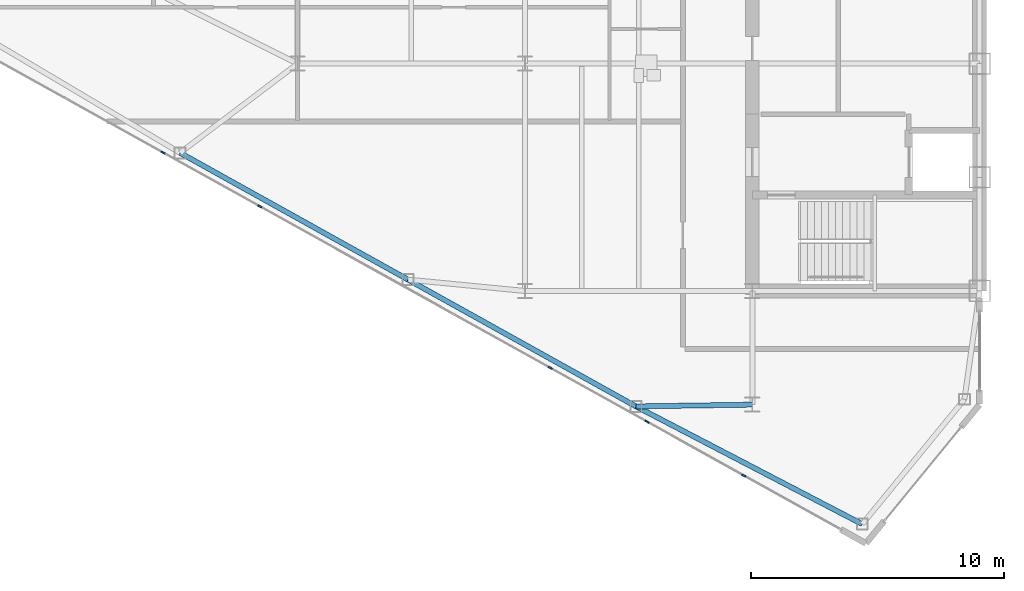
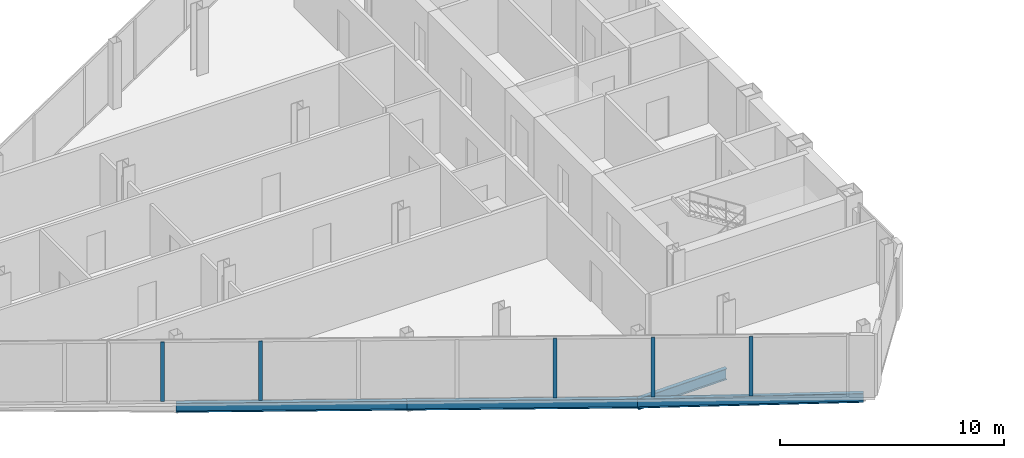
# One storey, part 3 of 25: 5 members, 4 beams, 1 element without a shape of its own.
"""IFC4 building model written with IfcOpenShell, lengths in metres."""

from ifc_helpers import new_model, si_unit, direction, frame, origin, origin_2d, place, context, subcontext, project, spatial, rectangle, i_section, extrude, source, transform, mapped, material, layer, layer_set, material_profile, profile_set, type_object, type_shapes, element, aggregate, save


model = new_model("IFC4")

# Units and contexts
model_context = context("Model", 3, precision=1e-05, world=origin(), true_north=direction((0.0, 1.0)))
body_context = subcontext(model_context, "Body", "Model", "MODEL_VIEW")
ifc_project = project(units=[si_unit("LENGTHUNIT", "METRE"), si_unit("AREAUNIT", "SQUARE_METRE"), si_unit("VOLUMEUNIT", "CUBIC_METRE"), si_unit("PLANEANGLEUNIT", "RADIAN"), si_unit("MASSUNIT", "GRAM", prefix="KILO")], contexts=[model_context])

# Site, building, storey
site_placement = place(None, origin())
site = spatial("IfcSite", under=ifc_project, at=site_placement, CompositionType="ELEMENT")
building_placement = place(site_placement, origin())
building = spatial("IfcBuilding", under=site, at=building_placement, Name="Seokmaru Belvedere", CompositionType="ELEMENT")
storey_placement = place(building_placement, frame((0.0, 0.0, 185.10009765625)))
storey = spatial("IfcBuildingStorey", under=building, at=storey_placement, Name="L49", CompositionType="ELEMENT", Elevation=185.10009765625)

# Beams
ifc_material_1 = material(Name="Steel SM355 (355 MPa)", Category="steel")
ifc_material_profile_1 = material_profile(ifc_material_1, i_section(OverallWidth=0.199951171875, OverallDepth=0.5, WebThickness=0.010009765625, FlangeThickness=0.01611328125, at=origin_2d()), Name="H-500x200x10x16")
ifc_profile_set_1 = profile_set([ifc_material_profile_1], Name="Steel SM355 (355 MPa)")
beam_type_1 = type_object("IfcBeamType", Name="Perimeter Spandrel Beam H-500", PredefinedType="SPANDREL", material=ifc_profile_set_1)
shared_shape_1 = source(origin(), body_context, "Body", "SweptSolid", [
    extrude(i_section(OverallWidth=0.199951171875, OverallDepth=0.5, WebThickness=0.010009765625, FlangeThickness=0.01611328125, at=origin_2d()), origin(), (0.0, 0.0, 1.0), 10.09716796875),
])
beam_1_placement = place(storey_placement, frame((-32.146728515625, -22.731689453125, -0.47021484375), z_axis=(-0.887085728914, 0.461604711369, 0.0), x_axis=(-0.461604711369, -0.887085728914, 0.0)))
element("IfcBeam", 1, at=beam_1_placement, inside=storey, type_object=beam_type_1, Name="L49 W Faceted Flank Spandrel S-1", PredefinedType="SPANDREL", context=body_context, shape_type="MappedRepresentation", body=[
    mapped(shared_shape_1, transform((0.0, 0.0, 0.0), scale=1.0)),
])
shared_shape_2 = source(origin(), body_context, "Body", "SweptSolid", [
    extrude(i_section(OverallWidth=0.199951171875, OverallDepth=0.5, WebThickness=0.010009765625, FlangeThickness=0.01611328125, at=origin_2d()), origin(), (0.0, 0.0, 1.0), 10.327392578125),
])
type_shapes(beam_type_1, [shared_shape_1, shared_shape_2])
for number, where, z_axis, x_axis, name in (
    (2, (-41.103759765625, -18.07080078125, -0.47021484375), (-0.873924120588, 0.486062374037, 0.0), (-0.486062374037, -0.873924120588, 0.0), "L49 W Faceted Flank Spandrel S-2"),
    (3, (-50.129150390625, -13.051025390625, -0.47021484375), (-0.873934162361, 0.48604431882, 0.0), (-0.48604431882, -0.873934162361, 0.0), "L49 W Faceted Flank Spandrel S-3"),
):
    element("IfcBeam", number, at=place(storey_placement, frame(where, z_axis=z_axis, x_axis=x_axis)), inside=storey, type_object=beam_type_1, Name=name, PredefinedType="SPANDREL", context=body_context, shape_type="MappedRepresentation", body=[
        mapped(shared_shape_2, transform((0.0, 0.0, 0.0), scale=1.0)),
    ])
ifc_material_profile_2 = material_profile(ifc_material_1, i_section(OverallWidth=0.199951171875, OverallDepth=0.60009765625, WebThickness=0.010986328125, FlangeThickness=0.01708984375, at=origin_2d()), Name="H-600x200x11x17")
ifc_profile_set_2 = profile_set([ifc_material_profile_2], Name="Steel SM355 (355 MPa)")
beam_type_2 = type_object("IfcBeamType", Name="Primary Floor Girder H-600", PredefinedType="BEAM", material=ifc_profile_set_2)
shared_shape_3 = source(origin(), body_context, "Body", "SweptSolid", [
    extrude(i_section(OverallWidth=0.199951171875, OverallDepth=0.60009765625, WebThickness=0.010986328125, FlangeThickness=0.01708984375, at=origin_2d()), origin(), (0.0, 0.0, 1.0), 4.604248046875),
])
type_shapes(beam_type_2, [shared_shape_3])
beam_2_placement = place(storey_placement, frame((-41.103759765625, -18.07080078125, -0.52001953125), z_axis=(0.999881765622, 0.01537708607, 0.0), x_axis=(-0.01537708607, 0.999881765622, 0.0)))
element("IfcBeam", 4, at=beam_2_placement, inside=storey, type_object=beam_type_2, Name="L49 W Flank Radial Floor Girder S-1", PredefinedType="BEAM", context=body_context, shape_type="MappedRepresentation", body=[
    mapped(shared_shape_3, transform((0.0, 0.0, 0.0), scale=1.0)),
])

# Curtain wall, members
ifc_material_2 = material(Name="Bronze Triple Insulating Glass", Category="glass")
ifc_layer = layer(ifc_material_2, 0.179931640625)
ifc_layer_set = layer_set([ifc_layer], Name="Bronze Triple Insulating Glass")
curtain_wall_type = type_object("IfcCurtainWallType", Name="High-Rise Wind-Corner Curtain Wall System CW-5", PredefinedType="NOTDEFINED", material=ifc_layer_set)
curtain_wall_placement = place(storey_placement, origin())
curtain_wall = element("IfcCurtainWall", 5, at=curtain_wall_placement, inside=storey, type_object=curtain_wall_type, Name="L49 Curtain Wall WF5", PredefinedType="NOTDEFINED")
ifc_material_3 = material(Name="Anodised Bronze Aluminium", Category="aluminium")
ifc_material_profile_3 = material_profile(ifc_material_3, rectangle(XDim=0.06494140625, YDim=0.179931640625, at=origin_2d()), Name="CW-M-65x180")
ifc_profile_set_3 = profile_set([ifc_material_profile_3], Name="Anodised Bronze Aluminium")
member_type = type_object("IfcMemberType", Name="Bronze Unitised Mullion 65x180", PredefinedType="MULLION", material=ifc_profile_set_3)
shared_shape_4 = source(origin(), body_context, "Body", "SweptSolid", [
    extrude(rectangle(XDim=0.06494140625, YDim=0.179931640625, at=origin_2d()), origin(), (0.0, 0.0, 1.0), 3.25),
])
type_shapes(member_type, [shared_shape_4])
member_1_placement = place(storey_placement, frame((-59.83056640625, -8.021728515625, 0.06494140625), z_axis=(0.0, 0.0, 1.0), x_axis=(0.486047125147, 0.873932601598, 0.0)))
member_1 = element("IfcMember", 6, at=member_1_placement, type_object=member_type, Name="CW:L49:WF5 Mullion 3", PredefinedType="MULLION", context=body_context, shape_type="MappedRepresentation", body=[
    mapped(shared_shape_4, transform((0.0, 0.0, 0.0), scale=1.0)),
])
member_2_placement = place(storey_placement, frame((-55.998291015625, -10.153076171875, 0.06494140625), z_axis=(0.0, 0.0, 1.0), x_axis=(0.486047125147, 0.873932601598, 0.0)))
member_2 = element("IfcMember", 7, at=member_2_placement, type_object=member_type, Name="CW:L49:WF5 Mullion 4", PredefinedType="MULLION", context=body_context, shape_type="MappedRepresentation", body=[
    mapped(shared_shape_4, transform((0.0, 0.0, 0.0), scale=1.0)),
])
member_3_placement = place(storey_placement, frame((-44.501708984375, -16.547119140625, 0.06494140625), z_axis=(0.0, 0.0, 1.0), x_axis=(0.486047125147, 0.873932601598, 0.0)))
member_3 = element("IfcMember", 8, at=member_3_placement, type_object=member_type, Name="CW:L49:WF5 Mullion 7", PredefinedType="MULLION", context=body_context, shape_type="MappedRepresentation", body=[
    mapped(shared_shape_4, transform((0.0, 0.0, 0.0), scale=1.0)),
])
member_4_placement = place(storey_placement, frame((-40.66943359375, -18.67822265625, 0.06494140625), z_axis=(0.0, 0.0, 1.0), x_axis=(0.486047125147, 0.873932601598, 0.0)))
member_4 = element("IfcMember", 9, at=member_4_placement, type_object=member_type, Name="CW:L49:WF5 Mullion 8", PredefinedType="MULLION", context=body_context, shape_type="MappedRepresentation", body=[
    mapped(shared_shape_4, transform((0.0, 0.0, 0.0), scale=1.0)),
])
member_5_placement = place(storey_placement, frame((-36.837158203125, -20.809814453125, 0.06494140625), z_axis=(0.0, 0.0, 1.0), x_axis=(0.486047125147, 0.873932601598, 0.0)))
member_5 = element("IfcMember", 10, at=member_5_placement, type_object=member_type, Name="CW:L49:WF5 Mullion 9", PredefinedType="MULLION", context=body_context, shape_type="MappedRepresentation", body=[
    mapped(shared_shape_4, transform((0.0, 0.0, 0.0), scale=1.0)),
])
aggregate(curtain_wall, [member_1, member_2, member_3, member_4, member_5])

save(model, "model.ifc")
